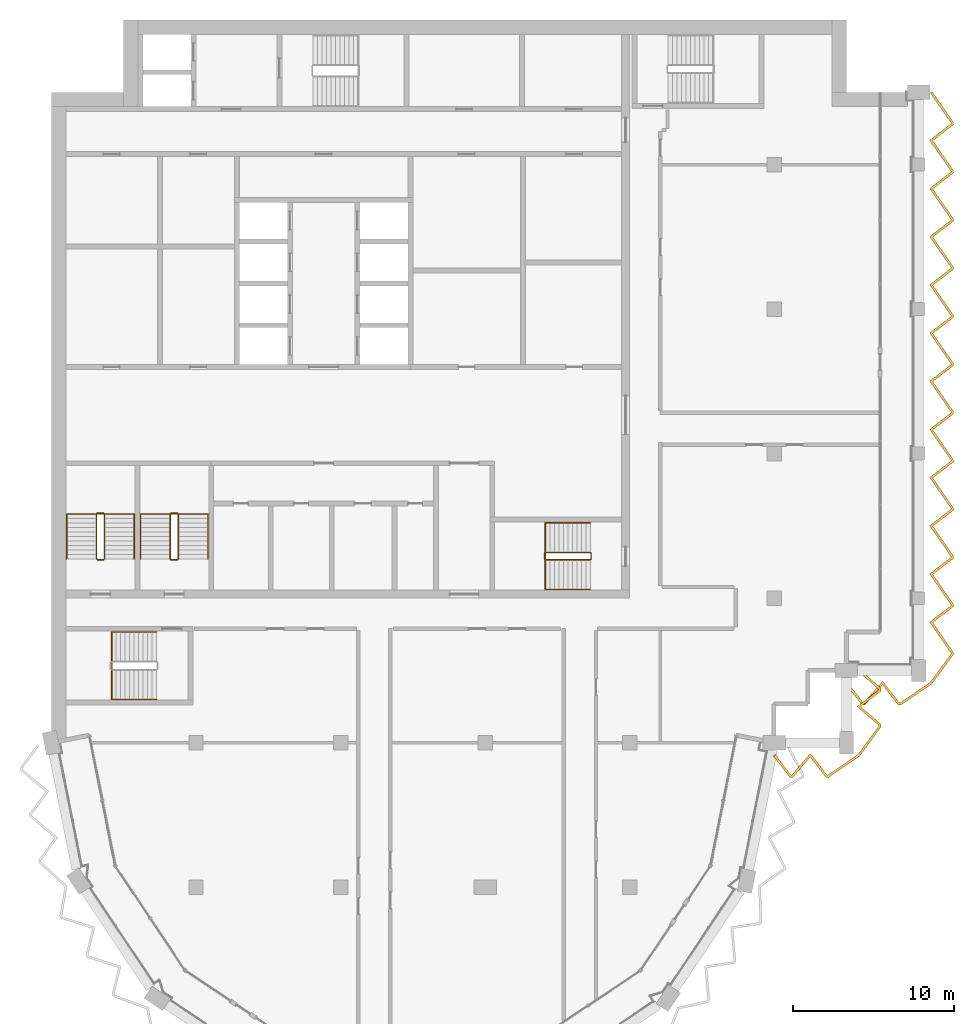
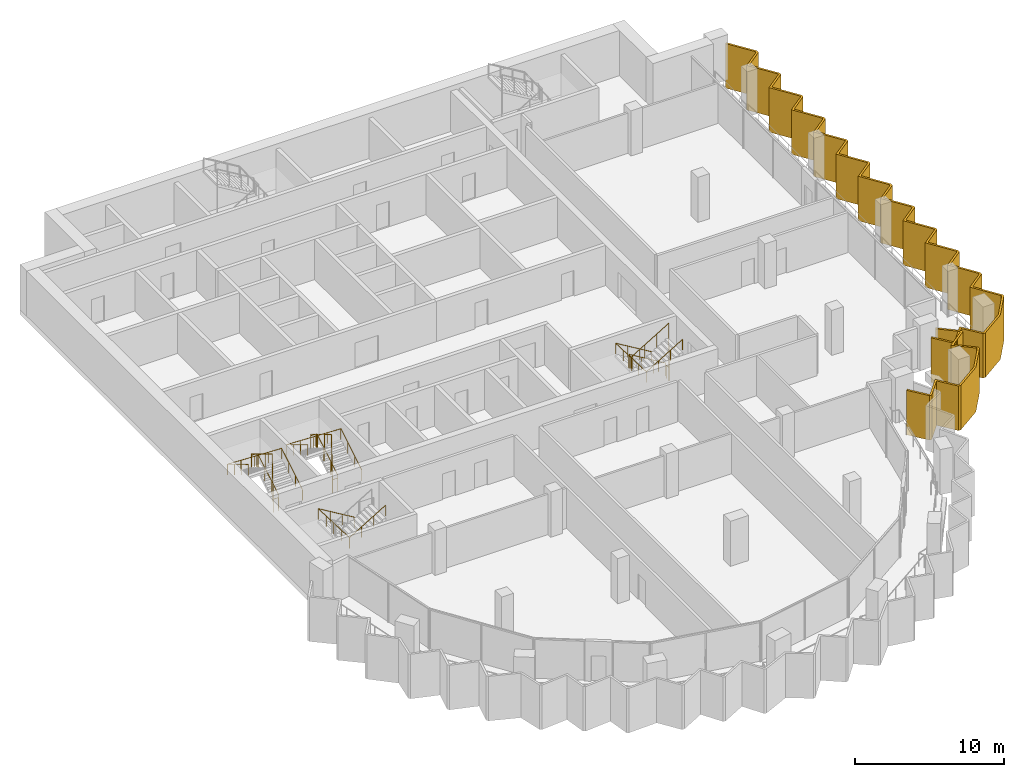
# One storey, part 13 of 14: 7 railings, 2 shading devices.
"""IFC4 building model written with IfcOpenShell, lengths in metres."""

from ifc_helpers import new_model, si_unit, direction, frame, origin, origin_2d, place, context, subcontext, project, spatial, polyline, circle, outline, extrude, material, layer, layer_set, type_object, element, save


model = new_model("IFC4")

# Units and contexts
model_context = context("Model", 3, precision=1e-05, world=origin(), true_north=direction((0.0, 1.0)))
body_context = subcontext(model_context, "Body", "Model", "MODEL_VIEW")
ifc_project = project(units=[si_unit("LENGTHUNIT", "METRE"), si_unit("AREAUNIT", "SQUARE_METRE"), si_unit("VOLUMEUNIT", "CUBIC_METRE"), si_unit("PLANEANGLEUNIT", "RADIAN"), si_unit("MASSUNIT", "GRAM", prefix="KILO")], contexts=[model_context])

# Site, building, storey
site_placement = place(None, origin())
site = spatial("IfcSite", under=ifc_project, at=site_placement, CompositionType="ELEMENT")
building_placement = place(site_placement, origin())
building = spatial("IfcBuilding", under=site, at=building_placement, Name="Hunhe Ridgeline Campus", CompositionType="ELEMENT")
storey_placement = place(building_placement, frame((0.0, 0.0, 291.89990234375)))
storey = spatial("IfcBuildingStorey", under=building, at=storey_placement, Name="L75", CompositionType="ELEMENT", Elevation=291.89990234375)

# Shading devices
ifc_material_1 = material(Name="Concrete C50", Category="concrete")
ifc_layer = layer(ifc_material_1, 0.14990234375)
ifc_layer_set = layer_set([ifc_layer], Name="Sawtooth concrete fin 150 Concrete C50")
shading_device_type = type_object("IfcShadingDeviceType", Name="Sawtooth concrete fin 150 Concrete C50", PredefinedType="USERDEFINED", material=ifc_layer_set)
shading_device_1_placement = place(storey_placement, frame((0.0, 0.0, -0.949951171875)))
element("IfcShadingDevice", 1, at=shading_device_1_placement, inside=storey, type_object=shading_device_type, Name="Concrete fin screen 2", ObjectType="FIN", PredefinedType="USERDEFINED", context=body_context, shape_type="SweptSolid", body=[
    extrude(outline(polyline([(45.059326171875, 53.270751953125), (44.940673828125, 53.17919921875), (45.965087890625, 51.85009765625), (46.15625, 51.85009765625), (47.24658203125, 53.106689453125), (48.215087890625, 51.85009765625), (48.395263671875, 51.85009765625), (50.327880859375, 53.17041015625), (51.64990234375, 54.9775390625), (51.64990234375, 55.15625), (50.393310546875, 56.24658203125), (51.64990234375, 57.215087890625), (51.64990234375, 57.40625), (50.32421875, 58.556640625), (50.225830078125, 58.443359375), (51.5, 57.337890625), (51.5, 57.288818359375), (50.156494140625, 56.25341796875), (51.5, 55.087890625), (51.5, 55.026611328125), (50.22216796875, 53.27978515625), (48.348876953125, 52.0), (48.288818359375, 52.0), (47.25341796875, 53.343505859375), (46.087890625, 52.0), (46.038818359375, 52.0), (45.059326171875, 53.270751953125)])), origin(), (0.0, 0.0, 1.0), 3.650146484375),
])
shading_device_2_placement = place(storey_placement, frame((0.0, 0.0, -0.949951171875)))
element("IfcShadingDevice", 2, at=shading_device_2_placement, inside=storey, type_object=shading_device_type, Name="Concrete fin screen 3", ObjectType="FIN", PredefinedType="USERDEFINED", context=body_context, shape_type="SweptSolid", body=[
    extrude(outline(polyline([(49.559326171875, 57.770751953125), (49.440673828125, 57.67919921875), (50.465087890625, 56.35009765625), (50.65625, 56.35009765625), (51.74658203125, 57.606689453125), (52.715087890625, 56.35009765625), (52.895263671875, 56.35009765625), (54.827880859375, 57.67041015625), (56.14990234375, 59.4775390625), (56.14990234375, 59.6455078125), (54.877197265625, 61.484130859375), (56.14990234375, 62.465087890625), (56.14990234375, 62.6455078125), (54.877197265625, 64.484130859375), (56.14990234375, 65.465087890625), (56.14990234375, 65.6455078125), (54.877197265625, 67.484130859375), (56.14990234375, 68.465087890625), (56.14990234375, 68.6455078125), (54.877197265625, 70.484130859375), (56.14990234375, 71.465087890625), (56.14990234375, 71.6455078125), (54.877197265625, 73.484130859375), (56.14990234375, 74.465087890625), (56.14990234375, 74.6455078125), (54.877197265625, 76.484130859375), (56.14990234375, 77.465087890625), (56.14990234375, 77.6455078125), (54.877197265625, 79.484130859375), (56.14990234375, 80.465087890625), (56.14990234375, 80.6455078125), (54.877197265625, 82.484130859375), (56.14990234375, 83.465087890625), (56.14990234375, 83.6455078125), (54.877197265625, 85.484130859375), (56.14990234375, 86.465087890625), (56.14990234375, 86.6455078125), (54.877197265625, 88.484130859375), (56.14990234375, 89.465087890625), (56.14990234375, 89.6455078125), (54.877197265625, 91.484130859375), (56.14990234375, 92.465087890625), (56.14990234375, 92.6455078125), (54.836669921875, 94.542724609375), (54.71337890625, 94.457275390625), (56.0, 92.5986328125), (56.0, 92.538818359375), (54.6728515625, 91.515869140625), (56.0, 89.5986328125), (56.0, 89.538818359375), (54.6728515625, 88.515869140625), (56.0, 86.5986328125), (56.0, 86.538818359375), (54.6728515625, 85.515869140625), (56.0, 83.5986328125), (56.0, 83.538818359375), (54.6728515625, 82.515869140625), (56.0, 80.5986328125), (56.0, 80.538818359375), (54.6728515625, 79.515869140625), (56.0, 77.5986328125), (56.0, 77.538818359375), (54.6728515625, 76.515869140625), (56.0, 74.5986328125), (56.0, 74.538818359375), (54.6728515625, 73.515869140625), (56.0, 71.5986328125), (56.0, 71.538818359375), (54.6728515625, 70.515869140625), (56.0, 68.5986328125), (56.0, 68.538818359375), (54.6728515625, 67.515869140625), (56.0, 65.5986328125), (56.0, 65.538818359375), (54.6728515625, 64.515869140625), (56.0, 62.5986328125), (56.0, 62.538818359375), (54.6728515625, 61.515869140625), (56.0, 59.5986328125), (56.0, 59.526611328125), (54.72216796875, 57.77978515625), (52.848876953125, 56.5), (52.788818359375, 56.5), (51.75341796875, 57.843505859375), (50.587890625, 56.5), (50.538818359375, 56.5), (49.559326171875, 57.770751953125)])), origin(), (0.0, 0.0, 1.0), 3.650146484375),
])

# Railings
ifc_material_2 = material(Name="Stainless steel balustrade", Category="steel")
railing_type_1 = type_object("IfcRailingType", Name="Stair guard 1100 stainless", PredefinedType="GUARDRAIL", material=ifc_material_2)
railing_1_placement = place(storey_placement, frame((33.550048828125, 65.85009765625, 0.168212890625)))
element("IfcRailing", 3, at=railing_1_placement, inside=storey, type_object=railing_type_1, Name="L75 stair S2 guard", PredefinedType="GUARDRAIL", context=body_context, shape_type="SweptSolid", body=[
    extrude(circle(Radius=0.02392578125, at=origin_2d()), frame((0.0, 0.0, 1.076171875), z_axis=(-0.857242210791, 0.0, 0.514913383045), x_axis=(0.0, -1.0, 0.0)), (0.0, 0.0, 1.0), 3.266357421875),
    extrude(circle(Radius=0.02392578125, at=origin_2d()), frame((-2.800048828125, 0.0, 2.7578125), z_axis=(-0.707106781187, -0.707106781187, 0.0), x_axis=(0.707106781187, -0.707106781187, 0.0)), (0.0, 0.0, 1.0), 0.07080078125),
    extrude(circle(Radius=0.02392578125, at=origin_2d()), frame((-2.85009765625, -0.050048828125, 2.7578125), z_axis=(0.0, -1.0, 0.0), x_axis=(1.0, 0.0, 0.0)), (0.0, 0.0, 1.0), 0.35009765625),
    extrude(circle(Radius=0.02392578125, at=origin_2d()), frame((-2.85009765625, -0.400146484375, 2.7578125), z_axis=(0.274243871929, -0.274243871929, 0.92172696468), x_axis=(0.707106781187, 0.707106781187, 0.0)), (0.0, 0.0, 1.0), 0.1826171875),
    extrude(circle(Radius=0.02392578125, at=origin_2d()), frame((-2.800048828125, -0.4501953125, 2.92626953125), z_axis=(0.857242210791, 0.0, 0.514913383045), x_axis=(0.0, 1.0, 0.0)), (0.0, 0.0, 1.0), 3.266357421875),
    extrude(circle(Radius=0.02392578125, at=origin_2d()), frame((0.0, -0.4501953125, 4.60791015625), z_axis=(0.013523522368, 0.013523522368, -0.999817097616), x_axis=(-0.707106781187, 0.707106781187, 0.0)), (0.0, 0.0, 1.0), 3.700927734375),
    extrude(circle(Radius=0.02392578125, at=origin_2d()), frame((0.050048828125, -0.400146484375, 0.90771484375), z_axis=(0.0, 1.0, 0.0), x_axis=(-1.0, 0.0, 0.0)), (0.0, 0.0, 1.0), 0.35009765625),
    extrude(circle(Radius=0.02099609375, at=origin_2d()), origin(), (0.0, 0.0, 1.0), 1.052001953125),
    extrude(circle(Radius=0.02099609375, at=origin_2d()), frame((-0.933349609375, 0.0, 0.560546875)), (0.0, 0.0, 1.0), 1.052001953125),
    extrude(circle(Radius=0.02099609375, at=origin_2d()), frame((-1.86669921875, 0.0, 1.121337890625)), (0.0, 0.0, 1.0), 1.052001953125),
    extrude(circle(Radius=0.02099609375, at=origin_2d()), frame((-2.800048828125, 0.0, 1.681884765625)), (0.0, 0.0, 1.0), 1.052001953125),
    extrude(circle(Radius=0.02099609375, at=origin_2d()), frame((-2.85009765625, -0.050048828125, 1.681884765625)), (0.0, 0.0, 1.0), 1.052001953125),
    extrude(circle(Radius=0.02099609375, at=origin_2d()), frame((-2.85009765625, -0.400146484375, 1.681884765625)), (0.0, 0.0, 1.0), 1.052001953125),
    extrude(circle(Radius=0.02099609375, at=origin_2d()), frame((-2.800048828125, -0.4501953125, 1.85009765625)), (0.0, 0.0, 1.0), 1.052001953125),
    extrude(circle(Radius=0.02099609375, at=origin_2d()), frame((-1.86669921875, -0.4501953125, 2.41064453125)), (0.0, 0.0, 1.0), 1.052001953125),
    extrude(circle(Radius=0.02099609375, at=origin_2d()), frame((-0.933349609375, -0.4501953125, 2.971435546875)), (0.0, 0.0, 1.0), 1.052001953125),
    extrude(circle(Radius=0.02099609375, at=origin_2d()), frame((0.0, -0.4501953125, 3.531982421875)), (0.0, 0.0, 1.0), 1.052001953125),
    extrude(circle(Radius=0.02099609375, at=origin_2d()), frame((0.012451171875, -0.437744140625, 2.60693359375)), (0.0, 0.0, 1.0), 1.052001953125),
    extrude(circle(Radius=0.02099609375, at=origin_2d()), frame((0.02490234375, -0.42529296875, 1.681884765625)), (0.0, 0.0, 1.0), 1.052001953125),
    extrude(circle(Radius=0.02099609375, at=origin_2d()), frame((0.03759765625, -0.41259765625, 0.7568359375)), (0.0, 0.0, 1.0), 1.052001953125),
    extrude(circle(Radius=0.02099609375, at=origin_2d()), frame((0.050048828125, -0.400146484375, -0.168212890625)), (0.0, 0.0, 1.0), 1.052001953125),
    extrude(circle(Radius=0.02099609375, at=origin_2d()), frame((0.050048828125, -0.050048828125, -0.168212890625)), (0.0, 0.0, 1.0), 1.052001953125),
])
railing_2_placement = place(storey_placement, frame((3.300048828125, 65.449951171875, 0.168212890625)))
element("IfcRailing", 4, at=railing_2_placement, inside=storey, type_object=railing_type_1, Name="L75 stair S3 guard", PredefinedType="GUARDRAIL", context=body_context, shape_type="SweptSolid", body=[
    extrude(circle(Radius=0.02392578125, at=origin_2d()), frame((0.0, 0.0, 1.076171875), z_axis=(0.0, 0.857242210791, 0.514913383045), x_axis=(-1.0, 0.0, 0.0)), (0.0, 0.0, 1.0), 3.266357421875),
    extrude(circle(Radius=0.02392578125, at=origin_2d()), frame((0.0, 2.800048828125, 2.7578125), z_axis=(-0.707106781187, 0.707106781187, 0.0), x_axis=(-0.707106781187, -0.707106781187, 0.0)), (0.0, 0.0, 1.0), 0.07080078125),
    extrude(circle(Radius=0.02392578125, at=origin_2d()), frame((-0.050048828125, 2.85009765625, 2.7578125), z_axis=(-1.0, 0.0, 0.0), x_axis=(0.0, -1.0, 0.0)), (0.0, 0.0, 1.0), 0.39990234375),
    extrude(circle(Radius=0.02392578125, at=origin_2d()), frame((-0.449951171875, 2.85009765625, 2.7578125), z_axis=(-0.274243871929, -0.274243871929, 0.92172696468), x_axis=(0.707106781187, -0.707106781187, 0.0)), (0.0, 0.0, 1.0), 0.1826171875),
    extrude(circle(Radius=0.02392578125, at=origin_2d()), frame((-0.5, 2.800048828125, 2.92626953125), z_axis=(0.0, -0.857242210791, 0.514913383045), x_axis=(1.0, 0.0, 0.0)), (0.0, 0.0, 1.0), 3.266357421875),
    extrude(circle(Radius=0.02392578125, at=origin_2d()), frame((-0.5, 0.0, 4.60791015625), z_axis=(0.013523522368, -0.013523522368, -0.999817097616), x_axis=(0.707106781187, 0.707106781187, 0.0)), (0.0, 0.0, 1.0), 3.700927734375),
    extrude(circle(Radius=0.02392578125, at=origin_2d()), frame((-0.449951171875, -0.050048828125, 0.90771484375), z_axis=(1.0, 0.0, 0.0), x_axis=(0.0, 1.0, 0.0)), (0.0, 0.0, 1.0), 0.39990234375),
    extrude(circle(Radius=0.02099609375, at=origin_2d()), origin(), (0.0, 0.0, 1.0), 1.052001953125),
    extrude(circle(Radius=0.02099609375, at=origin_2d()), frame((0.0, 0.933349609375, 0.560546875)), (0.0, 0.0, 1.0), 1.052001953125),
    extrude(circle(Radius=0.02099609375, at=origin_2d()), frame((0.0, 1.86669921875, 1.121337890625)), (0.0, 0.0, 1.0), 1.052001953125),
    extrude(circle(Radius=0.02099609375, at=origin_2d()), frame((0.0, 2.800048828125, 1.681884765625)), (0.0, 0.0, 1.0), 1.052001953125),
    extrude(circle(Radius=0.02099609375, at=origin_2d()), frame((-0.050048828125, 2.85009765625, 1.681884765625)), (0.0, 0.0, 1.0), 1.052001953125),
    extrude(circle(Radius=0.02099609375, at=origin_2d()), frame((-0.449951171875, 2.85009765625, 1.681884765625)), (0.0, 0.0, 1.0), 1.052001953125),
    extrude(circle(Radius=0.02099609375, at=origin_2d()), frame((-0.5, 2.800048828125, 1.85009765625)), (0.0, 0.0, 1.0), 1.052001953125),
    extrude(circle(Radius=0.02099609375, at=origin_2d()), frame((-0.5, 1.86669921875, 2.41064453125)), (0.0, 0.0, 1.0), 1.052001953125),
    extrude(circle(Radius=0.02099609375, at=origin_2d()), frame((-0.5, 0.933349609375, 2.971435546875)), (0.0, 0.0, 1.0), 1.052001953125),
    extrude(circle(Radius=0.02099609375, at=origin_2d()), frame((-0.5, 0.0, 3.531982421875)), (0.0, 0.0, 1.0), 1.052001953125),
    extrude(circle(Radius=0.02099609375, at=origin_2d()), frame((-0.487548828125, -0.012451171875, 2.60693359375)), (0.0, 0.0, 1.0), 1.052001953125),
    extrude(circle(Radius=0.02099609375, at=origin_2d()), frame((-0.47509765625, -0.02490234375, 1.681884765625)), (0.0, 0.0, 1.0), 1.052001953125),
    extrude(circle(Radius=0.02099609375, at=origin_2d()), frame((-0.46240234375, -0.03759765625, 0.7568359375)), (0.0, 0.0, 1.0), 1.052001953125),
    extrude(circle(Radius=0.02099609375, at=origin_2d()), frame((-0.449951171875, -0.050048828125, -0.168212890625)), (0.0, 0.0, 1.0), 1.052001953125),
    extrude(circle(Radius=0.02099609375, at=origin_2d()), frame((-0.050048828125, -0.050048828125, -0.168212890625)), (0.0, 0.0, 1.0), 1.052001953125),
])
railing_3_placement = place(storey_placement, frame((7.89990234375, 65.449951171875, 0.168212890625)))
element("IfcRailing", 5, at=railing_3_placement, inside=storey, type_object=railing_type_1, Name="L75 stair S4 guard", PredefinedType="GUARDRAIL", context=body_context, shape_type="SweptSolid", body=[
    extrude(circle(Radius=0.02392578125, at=origin_2d()), frame((0.0, 0.0, 1.076171875), z_axis=(0.0, 0.857242210791, 0.514913383045), x_axis=(-1.0, 0.0, 0.0)), (0.0, 0.0, 1.0), 3.266357421875),
    extrude(circle(Radius=0.02392578125, at=origin_2d()), frame((0.0, 2.800048828125, 2.7578125), z_axis=(-0.705375805398, 0.708833529934, 0.0), x_axis=(-0.708833529934, -0.705375805398, 0.0)), (0.0, 0.0, 1.0), 0.070556640625),
    extrude(circle(Radius=0.02392578125, at=origin_2d()), frame((-0.0498046875, 2.85009765625, 2.7578125), z_axis=(-1.0, 0.0, 0.0), x_axis=(0.0, -1.0, 0.0)), (0.0, 0.0, 1.0), 0.400146484375),
    extrude(circle(Radius=0.02392578125, at=origin_2d()), frame((-0.449951171875, 2.85009765625, 2.7578125), z_axis=(-0.274243871929, -0.274243871929, 0.92172696468), x_axis=(0.707106781187, -0.707106781187, 0.0)), (0.0, 0.0, 1.0), 0.1826171875),
    extrude(circle(Radius=0.02392578125, at=origin_2d()), frame((-0.5, 2.800048828125, 2.92626953125), z_axis=(0.0, -0.857242210791, 0.514913383045), x_axis=(1.0, 0.0, 0.0)), (0.0, 0.0, 1.0), 3.266357421875),
    extrude(circle(Radius=0.02392578125, at=origin_2d()), frame((-0.5, 0.0, 4.60791015625), z_axis=(0.013523522368, -0.013523522368, -0.999817097616), x_axis=(0.707106781187, 0.707106781187, 0.0)), (0.0, 0.0, 1.0), 3.700927734375),
    extrude(circle(Radius=0.02392578125, at=origin_2d()), frame((-0.449951171875, -0.050048828125, 0.90771484375), z_axis=(1.0, 0.0, 0.0), x_axis=(0.0, 1.0, 0.0)), (0.0, 0.0, 1.0), 0.400146484375),
    extrude(circle(Radius=0.02099609375, at=origin_2d()), origin(), (0.0, 0.0, 1.0), 1.052001953125),
    extrude(circle(Radius=0.02099609375, at=origin_2d()), frame((0.0, 0.933349609375, 0.560546875)), (0.0, 0.0, 1.0), 1.052001953125),
    extrude(circle(Radius=0.02099609375, at=origin_2d()), frame((0.0, 1.86669921875, 1.121337890625)), (0.0, 0.0, 1.0), 1.052001953125),
    extrude(circle(Radius=0.02099609375, at=origin_2d()), frame((0.0, 2.800048828125, 1.681884765625)), (0.0, 0.0, 1.0), 1.052001953125),
    extrude(circle(Radius=0.02099609375, at=origin_2d()), frame((-0.0498046875, 2.85009765625, 1.681884765625)), (0.0, 0.0, 1.0), 1.052001953125),
    extrude(circle(Radius=0.02099609375, at=origin_2d()), frame((-0.449951171875, 2.85009765625, 1.681884765625)), (0.0, 0.0, 1.0), 1.052001953125),
    extrude(circle(Radius=0.02099609375, at=origin_2d()), frame((-0.5, 2.800048828125, 1.85009765625)), (0.0, 0.0, 1.0), 1.052001953125),
    extrude(circle(Radius=0.02099609375, at=origin_2d()), frame((-0.5, 1.86669921875, 2.41064453125)), (0.0, 0.0, 1.0), 1.052001953125),
    extrude(circle(Radius=0.02099609375, at=origin_2d()), frame((-0.5, 0.933349609375, 2.971435546875)), (0.0, 0.0, 1.0), 1.052001953125),
    extrude(circle(Radius=0.02099609375, at=origin_2d()), frame((-0.5, 0.0, 3.531982421875)), (0.0, 0.0, 1.0), 1.052001953125),
    extrude(circle(Radius=0.02099609375, at=origin_2d()), frame((-0.487548828125, -0.012451171875, 2.60693359375)), (0.0, 0.0, 1.0), 1.052001953125),
    extrude(circle(Radius=0.02099609375, at=origin_2d()), frame((-0.47509765625, -0.02490234375, 1.681884765625)), (0.0, 0.0, 1.0), 1.052001953125),
    extrude(circle(Radius=0.02099609375, at=origin_2d()), frame((-0.46240234375, -0.03759765625, 0.7568359375)), (0.0, 0.0, 1.0), 1.052001953125),
    extrude(circle(Radius=0.02099609375, at=origin_2d()), frame((-0.449951171875, -0.050048828125, -0.168212890625)), (0.0, 0.0, 1.0), 1.052001953125),
    extrude(circle(Radius=0.02099609375, at=origin_2d()), frame((-0.0498046875, -0.050048828125, -0.168212890625)), (0.0, 0.0, 1.0), 1.052001953125),
])
ifc_material_3 = material(Name="Stainless steel handrail", Category="steel")
railing_type_2 = type_object("IfcRailingType", Name="Stair handrail 900 stainless", PredefinedType="HANDRAIL", material=ifc_material_3)
railing_4_placement = place(storey_placement, frame((33.550048828125, 67.699951171875, 0.168212890625)))
element("IfcRailing", 6, at=railing_4_placement, inside=storey, type_object=railing_type_2, Name="L75 stair S2 handrail", PredefinedType="HANDRAIL", context=body_context, shape_type="SweptSolid", body=[
    extrude(circle(Radius=0.02392578125, at=origin_2d()), frame((0.0, 0.0, 0.8759765625), z_axis=(-0.857242210791, 0.0, 0.514913383045), x_axis=(0.0, -1.0, 0.0)), (0.0, 0.0, 1.0), 3.266357421875),
    extrude(circle(Radius=0.02392578125, at=origin_2d()), frame((-2.800048828125, 0.0, 2.5576171875), z_axis=(0.0, -0.99917950104, 0.040500922239), x_axis=(1.0, 0.0, 0.0)), (0.0, 0.0, 1.0), 4.1533203125),
    extrude(circle(Radius=0.02392578125, at=origin_2d()), frame((-2.800048828125, -4.14990234375, 2.72607421875), z_axis=(0.857242210791, 0.0, 0.514913383045), x_axis=(0.0, 1.0, 0.0)), (0.0, 0.0, 1.0), 3.266357421875),
    extrude(circle(Radius=0.02099609375, at=origin_2d()), origin(), (0.0, 0.0, 1.0), 0.851806640625),
    extrude(circle(Radius=0.02099609375, at=origin_2d()), frame((-0.933349609375, 0.0, 0.560546875)), (0.0, 0.0, 1.0), 0.851806640625),
    extrude(circle(Radius=0.02099609375, at=origin_2d()), frame((-1.86669921875, 0.0, 1.121337890625)), (0.0, 0.0, 1.0), 0.851806640625),
    extrude(circle(Radius=0.02099609375, at=origin_2d()), frame((-2.800048828125, 0.0, 1.681884765625)), (0.0, 0.0, 1.0), 0.851806640625),
    extrude(circle(Radius=0.02099609375, at=origin_2d()), frame((-2.800048828125, -1.03759765625, 1.723876953125)), (0.0, 0.0, 1.0), 0.851806640625),
    extrude(circle(Radius=0.02099609375, at=origin_2d()), frame((-2.800048828125, -2.074951171875, 1.76611328125)), (0.0, 0.0, 1.0), 0.851806640625),
    extrude(circle(Radius=0.02099609375, at=origin_2d()), frame((-2.800048828125, -3.1123046875, 1.80810546875)), (0.0, 0.0, 1.0), 0.851806640625),
    extrude(circle(Radius=0.02099609375, at=origin_2d()), frame((-2.800048828125, -4.14990234375, 1.85009765625)), (0.0, 0.0, 1.0), 0.851806640625),
    extrude(circle(Radius=0.02099609375, at=origin_2d()), frame((-1.86669921875, -4.14990234375, 2.41064453125)), (0.0, 0.0, 1.0), 0.851806640625),
    extrude(circle(Radius=0.02099609375, at=origin_2d()), frame((-0.933349609375, -4.14990234375, 2.971435546875)), (0.0, 0.0, 1.0), 0.851806640625),
    extrude(circle(Radius=0.02099609375, at=origin_2d()), frame((0.0, -4.14990234375, 3.531982421875)), (0.0, 0.0, 1.0), 0.851806640625),
])
railing_5_placement = place(storey_placement, frame((5.14990234375, 65.449951171875, 0.168212890625)))
element("IfcRailing", 7, at=railing_5_placement, inside=storey, type_object=railing_type_2, Name="L75 stair S3 handrail", PredefinedType="HANDRAIL", context=body_context, shape_type="SweptSolid", body=[
    extrude(circle(Radius=0.02392578125, at=origin_2d()), frame((0.0, 0.0, 0.8759765625), z_axis=(0.0, 0.857242210791, 0.514913383045), x_axis=(-1.0, 0.0, 0.0)), (0.0, 0.0, 1.0), 3.266357421875),
    extrude(circle(Radius=0.02392578125, at=origin_2d()), frame((0.0, 2.800048828125, 2.5576171875), z_axis=(-0.999198916169, 0.0, 0.040019069537), x_axis=(0.0, -1.0, 0.0)), (0.0, 0.0, 1.0), 4.203369140625),
    extrude(circle(Radius=0.02392578125, at=origin_2d()), frame((-4.199951171875, 2.800048828125, 2.72607421875), z_axis=(0.0, -0.857242210791, 0.514913383045), x_axis=(1.0, 0.0, 0.0)), (0.0, 0.0, 1.0), 3.266357421875),
    extrude(circle(Radius=0.02099609375, at=origin_2d()), origin(), (0.0, 0.0, 1.0), 0.851806640625),
    extrude(circle(Radius=0.02099609375, at=origin_2d()), frame((0.0, 0.933349609375, 0.560546875)), (0.0, 0.0, 1.0), 0.851806640625),
    extrude(circle(Radius=0.02099609375, at=origin_2d()), frame((0.0, 1.86669921875, 1.121337890625)), (0.0, 0.0, 1.0), 0.851806640625),
    extrude(circle(Radius=0.02099609375, at=origin_2d()), frame((0.0, 2.800048828125, 1.681884765625)), (0.0, 0.0, 1.0), 0.851806640625),
    extrude(circle(Radius=0.02099609375, at=origin_2d()), frame((-1.050048828125, 2.800048828125, 1.723876953125)), (0.0, 0.0, 1.0), 0.851806640625),
    extrude(circle(Radius=0.02099609375, at=origin_2d()), frame((-2.10009765625, 2.800048828125, 1.76611328125)), (0.0, 0.0, 1.0), 0.851806640625),
    extrude(circle(Radius=0.02099609375, at=origin_2d()), frame((-3.14990234375, 2.800048828125, 1.80810546875)), (0.0, 0.0, 1.0), 0.851806640625),
    extrude(circle(Radius=0.02099609375, at=origin_2d()), frame((-4.199951171875, 2.800048828125, 1.85009765625)), (0.0, 0.0, 1.0), 0.851806640625),
    extrude(circle(Radius=0.02099609375, at=origin_2d()), frame((-4.199951171875, 1.86669921875, 2.41064453125)), (0.0, 0.0, 1.0), 0.851806640625),
    extrude(circle(Radius=0.02099609375, at=origin_2d()), frame((-4.199951171875, 0.933349609375, 2.971435546875)), (0.0, 0.0, 1.0), 0.851806640625),
    extrude(circle(Radius=0.02099609375, at=origin_2d()), frame((-4.199951171875, 0.0, 3.531982421875)), (0.0, 0.0, 1.0), 0.851806640625),
])
railing_6_placement = place(storey_placement, frame((9.75, 65.449951171875, 0.168212890625)))
element("IfcRailing", 8, at=railing_6_placement, inside=storey, type_object=railing_type_2, Name="L75 stair S4 handrail", PredefinedType="HANDRAIL", context=body_context, shape_type="SweptSolid", body=[
    extrude(circle(Radius=0.02392578125, at=origin_2d()), frame((0.0, 0.0, 0.8759765625), z_axis=(0.0, 0.857242210791, 0.514913383045), x_axis=(-1.0, 0.0, 0.0)), (0.0, 0.0, 1.0), 3.266357421875),
    extrude(circle(Radius=0.02392578125, at=origin_2d()), frame((0.0, 2.800048828125, 2.5576171875), z_axis=(-0.999198916169, 0.0, 0.040019069537), x_axis=(0.0, -1.0, 0.0)), (0.0, 0.0, 1.0), 4.203369140625),
    extrude(circle(Radius=0.02392578125, at=origin_2d()), frame((-4.199951171875, 2.800048828125, 2.72607421875), z_axis=(0.0, -0.857242210791, 0.514913383045), x_axis=(1.0, 0.0, 0.0)), (0.0, 0.0, 1.0), 3.266357421875),
    extrude(circle(Radius=0.02099609375, at=origin_2d()), origin(), (0.0, 0.0, 1.0), 0.851806640625),
    extrude(circle(Radius=0.02099609375, at=origin_2d()), frame((0.0, 0.933349609375, 0.560546875)), (0.0, 0.0, 1.0), 0.851806640625),
    extrude(circle(Radius=0.02099609375, at=origin_2d()), frame((0.0, 1.86669921875, 1.121337890625)), (0.0, 0.0, 1.0), 0.851806640625),
    extrude(circle(Radius=0.02099609375, at=origin_2d()), frame((0.0, 2.800048828125, 1.681884765625)), (0.0, 0.0, 1.0), 0.851806640625),
    extrude(circle(Radius=0.02099609375, at=origin_2d()), frame((-1.050048828125, 2.800048828125, 1.723876953125)), (0.0, 0.0, 1.0), 0.851806640625),
    extrude(circle(Radius=0.02099609375, at=origin_2d()), frame((-2.10009765625, 2.800048828125, 1.76611328125)), (0.0, 0.0, 1.0), 0.851806640625),
    extrude(circle(Radius=0.02099609375, at=origin_2d()), frame((-3.14990234375, 2.800048828125, 1.80810546875)), (0.0, 0.0, 1.0), 0.851806640625),
    extrude(circle(Radius=0.02099609375, at=origin_2d()), frame((-4.199951171875, 2.800048828125, 1.85009765625)), (0.0, 0.0, 1.0), 0.851806640625),
    extrude(circle(Radius=0.02099609375, at=origin_2d()), frame((-4.199951171875, 1.86669921875, 2.41064453125)), (0.0, 0.0, 1.0), 0.851806640625),
    extrude(circle(Radius=0.02099609375, at=origin_2d()), frame((-4.199951171875, 0.933349609375, 2.971435546875)), (0.0, 0.0, 1.0), 0.851806640625),
    extrude(circle(Radius=0.02099609375, at=origin_2d()), frame((-4.199951171875, 0.0, 3.531982421875)), (0.0, 0.0, 1.0), 0.851806640625),
])
railing_7_placement = place(storey_placement, frame((6.550048828125, 60.89990234375, 0.168212890625)))
element("IfcRailing", 9, at=railing_7_placement, inside=storey, type_object=railing_type_2, Name="L75 stair W2 handrail", PredefinedType="HANDRAIL", context=body_context, shape_type="SweptSolid", body=[
    extrude(circle(Radius=0.02392578125, at=origin_2d()), frame((0.0, 0.0, 0.8759765625), z_axis=(-0.857242210791, 0.0, 0.514913383045), x_axis=(0.0, -1.0, 0.0)), (0.0, 0.0, 1.0), 3.266357421875),
    extrude(circle(Radius=0.02392578125, at=origin_2d()), frame((-2.800048828125, 0.0, 2.5576171875), z_axis=(0.0, -0.999198916169, 0.040019069537), x_axis=(1.0, 0.0, 0.0)), (0.0, 0.0, 1.0), 4.203369140625),
    extrude(circle(Radius=0.02392578125, at=origin_2d()), frame((-2.800048828125, -4.199951171875, 2.72607421875), z_axis=(0.857242210791, 0.0, 0.514913383045), x_axis=(0.0, 1.0, 0.0)), (0.0, 0.0, 1.0), 3.266357421875),
    extrude(circle(Radius=0.02099609375, at=origin_2d()), origin(), (0.0, 0.0, 1.0), 0.851806640625),
    extrude(circle(Radius=0.02099609375, at=origin_2d()), frame((-0.933349609375, 0.0, 0.560546875)), (0.0, 0.0, 1.0), 0.851806640625),
    extrude(circle(Radius=0.02099609375, at=origin_2d()), frame((-1.86669921875, 0.0, 1.121337890625)), (0.0, 0.0, 1.0), 0.851806640625),
    extrude(circle(Radius=0.02099609375, at=origin_2d()), frame((-2.800048828125, 0.0, 1.681884765625)), (0.0, 0.0, 1.0), 0.851806640625),
    extrude(circle(Radius=0.02099609375, at=origin_2d()), frame((-2.800048828125, -1.050048828125, 1.723876953125)), (0.0, 0.0, 1.0), 0.851806640625),
    extrude(circle(Radius=0.02099609375, at=origin_2d()), frame((-2.800048828125, -2.10009765625, 1.76611328125)), (0.0, 0.0, 1.0), 0.851806640625),
    extrude(circle(Radius=0.02099609375, at=origin_2d()), frame((-2.800048828125, -3.14990234375, 1.80810546875)), (0.0, 0.0, 1.0), 0.851806640625),
    extrude(circle(Radius=0.02099609375, at=origin_2d()), frame((-2.800048828125, -4.199951171875, 1.85009765625)), (0.0, 0.0, 1.0), 0.851806640625),
    extrude(circle(Radius=0.02099609375, at=origin_2d()), frame((-1.86669921875, -4.199951171875, 2.41064453125)), (0.0, 0.0, 1.0), 0.851806640625),
    extrude(circle(Radius=0.02099609375, at=origin_2d()), frame((-0.933349609375, -4.199951171875, 2.971435546875)), (0.0, 0.0, 1.0), 0.851806640625),
    extrude(circle(Radius=0.02099609375, at=origin_2d()), frame((0.0, -4.199951171875, 3.531982421875)), (0.0, 0.0, 1.0), 0.851806640625),
])

save(model, "model.ifc")
